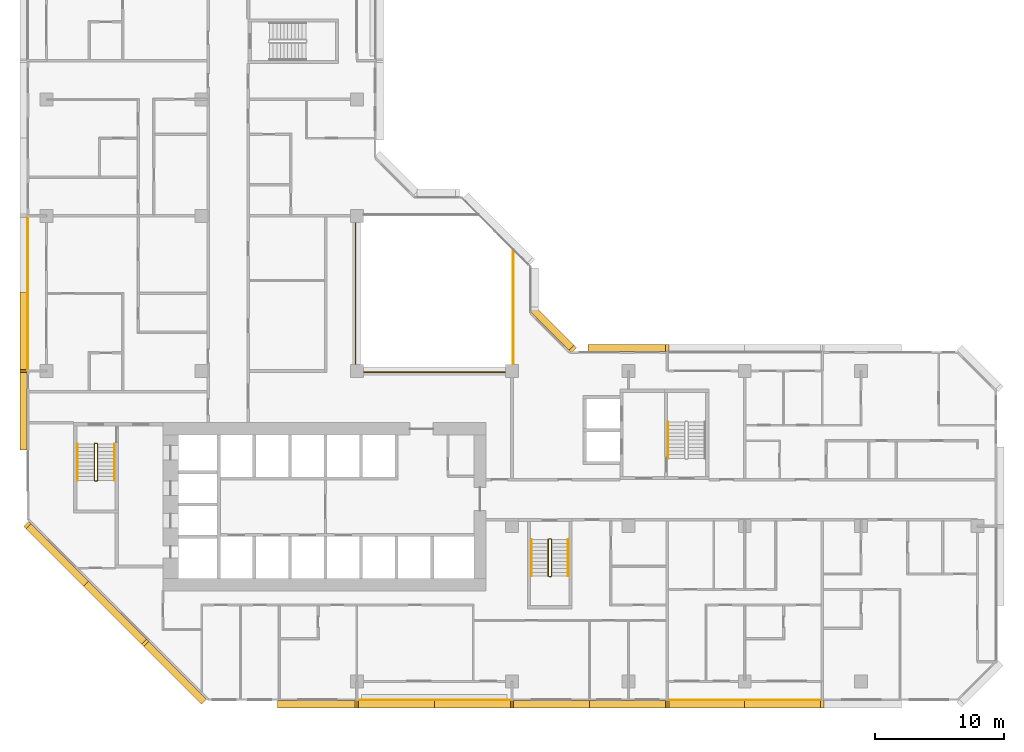
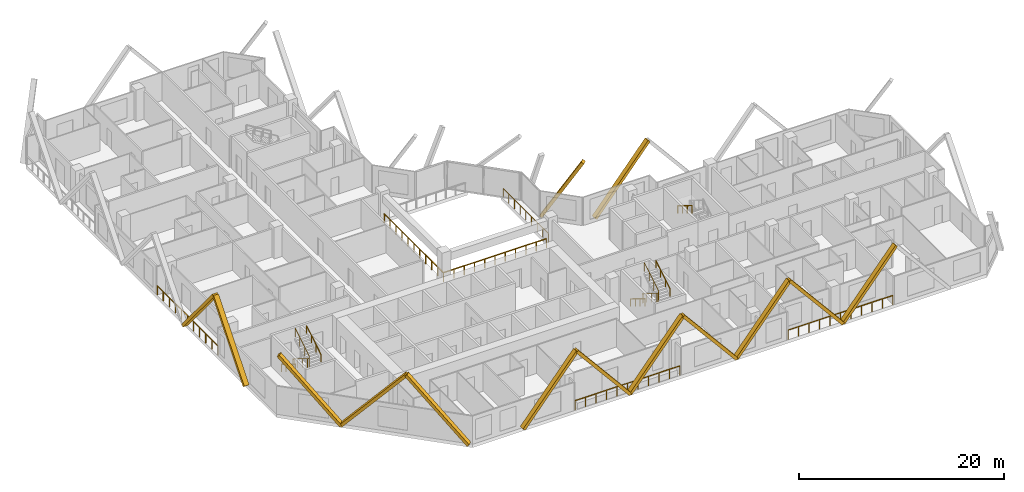
# One storey, part 14 of 15: 14 coverings, 12 railings.
"""IFC4 building model written with IfcOpenShell, lengths in metres."""

from ifc_helpers import new_model, si_unit, direction, frame, origin, origin_2d, place, context, subcontext, project, spatial, rectangle, extrude, material, material_profile, profile_set, type_object, element, save


model = new_model("IFC4")

# Units and contexts
model_context = context("Model", 3, precision=1e-05, world=origin(), true_north=direction((0.0, 1.0)))
body_context = subcontext(model_context, "Body", "Model", "MODEL_VIEW")
ifc_project = project(units=[si_unit("LENGTHUNIT", "METRE"), si_unit("AREAUNIT", "SQUARE_METRE"), si_unit("VOLUMEUNIT", "CUBIC_METRE"), si_unit("PLANEANGLEUNIT", "RADIAN"), si_unit("MASSUNIT", "GRAM", prefix="KILO")], contexts=[model_context])

# Site, building, storey
site_placement = place(None, origin())
site = spatial("IfcSite", under=ifc_project, at=site_placement, CompositionType="ELEMENT")
building_placement = place(site_placement, origin())
building = spatial("IfcBuilding", under=site, at=building_placement, Name="Chenar Terraces", CompositionType="ELEMENT")
storey_placement = place(building_placement, frame((0.0, 0.0, 106.89990234375)))
storey = spatial("IfcBuildingStorey", under=building, at=storey_placement, Name="L24", CompositionType="ELEMENT", Elevation=106.89990234375)

# Railings
ifc_material_1 = material(Name="Powder-coated steel", Category="steel")
railing_type_1 = type_object("IfcRailingType", Name="Guard 1100 steel rail with glass infill", PredefinedType="GUARDRAIL", material=ifc_material_1)
railing_1_placement = place(storey_placement, frame((23.89990234375, 35.5, 0.0)))
element("IfcRailing", 1, at=railing_1_placement, inside=storey, type_object=railing_type_1, Name="Guard L24-1", PredefinedType="GUARDRAIL", context=body_context, shape_type="SweptSolid", body=[
    extrude(rectangle(XDim=0.06005859375, YDim=0.06005859375, at=origin_2d()), frame((0.0, 0.0, 1.070068359375), z_axis=(0.0, -1.0, 0.0), x_axis=(1.0, 0.0, 0.0)), (0.0, 0.0, 1.0), 11.60009765625),
    extrude(rectangle(XDim=0.06005859375, YDim=0.06005859375, at=origin_2d()), frame((0.0, -11.60009765625, 1.070068359375), z_axis=(1.0, 0.0, 0.0), x_axis=(0.0, 1.0, 0.0)), (0.0, 0.0, 1.0), 11.60009765625),
    extrude(rectangle(XDim=0.050048828125, YDim=0.050048828125, at=origin_2d()), origin(), (0.0, 0.0, 1.0), 1.0400390625),
    extrude(rectangle(XDim=0.050048828125, YDim=0.050048828125, at=origin_2d()), frame((0.0, -1.159912109375, 0.0)), (0.0, 0.0, 1.0), 1.0400390625),
    extrude(rectangle(XDim=0.050048828125, YDim=0.050048828125, at=origin_2d()), frame((0.0, -2.320068359375, 0.0)), (0.0, 0.0, 1.0), 1.0400390625),
    extrude(rectangle(XDim=0.050048828125, YDim=0.050048828125, at=origin_2d()), frame((0.0, -3.47998046875, 0.0)), (0.0, 0.0, 1.0), 1.0400390625),
    extrude(rectangle(XDim=0.050048828125, YDim=0.050048828125, at=origin_2d()), frame((0.0, -4.64013671875, 0.0)), (0.0, 0.0, 1.0), 1.0400390625),
    extrude(rectangle(XDim=0.050048828125, YDim=0.050048828125, at=origin_2d()), frame((0.0, -5.800048828125, 0.0)), (0.0, 0.0, 1.0), 1.0400390625),
    extrude(rectangle(XDim=0.050048828125, YDim=0.050048828125, at=origin_2d()), frame((0.0, -6.9599609375, 0.0)), (0.0, 0.0, 1.0), 1.0400390625),
    extrude(rectangle(XDim=0.050048828125, YDim=0.050048828125, at=origin_2d()), frame((0.0, -8.1201171875, 0.0)), (0.0, 0.0, 1.0), 1.0400390625),
    extrude(rectangle(XDim=0.050048828125, YDim=0.050048828125, at=origin_2d()), frame((0.0, -9.280029296875, 0.0)), (0.0, 0.0, 1.0), 1.0400390625),
    extrude(rectangle(XDim=0.050048828125, YDim=0.050048828125, at=origin_2d()), frame((0.0, -10.440185546875, 0.0)), (0.0, 0.0, 1.0), 1.0400390625),
    extrude(rectangle(XDim=0.050048828125, YDim=0.050048828125, at=origin_2d()), frame((0.0, -11.60009765625, 0.0)), (0.0, 0.0, 1.0), 1.0400390625),
    extrude(rectangle(XDim=0.050048828125, YDim=0.050048828125, at=origin_2d()), frame((1.159912109375, -11.60009765625, 0.0)), (0.0, 0.0, 1.0), 1.0400390625),
    extrude(rectangle(XDim=0.050048828125, YDim=0.050048828125, at=origin_2d()), frame((2.320068359375, -11.60009765625, 0.0)), (0.0, 0.0, 1.0), 1.0400390625),
    extrude(rectangle(XDim=0.050048828125, YDim=0.050048828125, at=origin_2d()), frame((3.47998046875, -11.60009765625, 0.0)), (0.0, 0.0, 1.0), 1.0400390625),
    extrude(rectangle(XDim=0.050048828125, YDim=0.050048828125, at=origin_2d()), frame((4.64013671875, -11.60009765625, 0.0)), (0.0, 0.0, 1.0), 1.0400390625),
    extrude(rectangle(XDim=0.050048828125, YDim=0.050048828125, at=origin_2d()), frame((5.800048828125, -11.60009765625, 0.0)), (0.0, 0.0, 1.0), 1.0400390625),
    extrude(rectangle(XDim=0.050048828125, YDim=0.050048828125, at=origin_2d()), frame((6.9599609375, -11.60009765625, 0.0)), (0.0, 0.0, 1.0), 1.0400390625),
    extrude(rectangle(XDim=0.050048828125, YDim=0.050048828125, at=origin_2d()), frame((8.1201171875, -11.60009765625, 0.0)), (0.0, 0.0, 1.0), 1.0400390625),
    extrude(rectangle(XDim=0.050048828125, YDim=0.050048828125, at=origin_2d()), frame((9.280029296875, -11.60009765625, 0.0)), (0.0, 0.0, 1.0), 1.0400390625),
    extrude(rectangle(XDim=0.050048828125, YDim=0.050048828125, at=origin_2d()), frame((10.440185546875, -11.60009765625, 0.0)), (0.0, 0.0, 1.0), 1.0400390625),
    extrude(rectangle(XDim=0.050048828125, YDim=0.050048828125, at=origin_2d()), frame((11.60009765625, -11.60009765625, 0.0)), (0.0, 0.0, 1.0), 1.0400390625),
])
railing_2_placement = place(storey_placement, frame((36.10009765625, 24.550048828125, 0.0)))
element("IfcRailing", 2, at=railing_2_placement, inside=storey, type_object=railing_type_1, Name="Guard L24-3", PredefinedType="GUARDRAIL", context=body_context, shape_type="SweptSolid", body=[
    extrude(rectangle(XDim=0.06005859375, YDim=0.06005859375, at=origin_2d()), frame((0.0, 0.0, 1.070068359375), z_axis=(0.0, 1.0, 0.0), x_axis=(-1.0, 0.0, 0.0)), (0.0, 0.0, 1.0), 8.849853515625),
    extrude(rectangle(XDim=0.050048828125, YDim=0.050048828125, at=origin_2d()), origin(), (0.0, 0.0, 1.0), 1.0400390625),
    extrude(rectangle(XDim=0.050048828125, YDim=0.050048828125, at=origin_2d()), frame((0.0, 1.106201171875, 0.0)), (0.0, 0.0, 1.0), 1.0400390625),
    extrude(rectangle(XDim=0.050048828125, YDim=0.050048828125, at=origin_2d()), frame((0.0, 2.21240234375, 0.0)), (0.0, 0.0, 1.0), 1.0400390625),
    extrude(rectangle(XDim=0.050048828125, YDim=0.050048828125, at=origin_2d()), frame((0.0, 3.318603515625, 0.0)), (0.0, 0.0, 1.0), 1.0400390625),
    extrude(rectangle(XDim=0.050048828125, YDim=0.050048828125, at=origin_2d()), frame((0.0, 4.4248046875, 0.0)), (0.0, 0.0, 1.0), 1.0400390625),
    extrude(rectangle(XDim=0.050048828125, YDim=0.050048828125, at=origin_2d()), frame((0.0, 5.53125, 0.0)), (0.0, 0.0, 1.0), 1.0400390625),
    extrude(rectangle(XDim=0.050048828125, YDim=0.050048828125, at=origin_2d()), frame((0.0, 6.637451171875, 0.0)), (0.0, 0.0, 1.0), 1.0400390625),
    extrude(rectangle(XDim=0.050048828125, YDim=0.050048828125, at=origin_2d()), frame((0.0, 7.74365234375, 0.0)), (0.0, 0.0, 1.0), 1.0400390625),
    extrude(rectangle(XDim=0.050048828125, YDim=0.050048828125, at=origin_2d()), frame((0.0, 8.849853515625, 0.0)), (0.0, 0.0, 1.0), 1.0400390625),
])
ifc_material_2 = material(Name="Stainless steel and glass", Category="steel")
railing_type_2 = type_object("IfcRailingType", Name="Loggia guard 1150", PredefinedType="GUARDRAIL", material=ifc_material_2)
railing_3_placement = place(storey_placement, frame((24.074951171875, -1.449951171875, 0.0)))
element("IfcRailing", 3, at=railing_3_placement, inside=storey, type_object=railing_type_2, Name="Loggia guard", PredefinedType="GUARDRAIL", context=body_context, shape_type="SweptSolid", body=[
    extrude(rectangle(XDim=0.048095703125, YDim=0.048095703125, at=origin_2d()), frame((0.0, 0.0, 1.1259765625), z_axis=(1.0, 0.0, 0.0), x_axis=(0.0, 1.0, 0.0)), (0.0, 0.0, 1.0), 11.85009765625),
    extrude(rectangle(XDim=0.0419921875, YDim=0.0419921875, at=origin_2d()), origin(), (0.0, 0.0, 1.0), 1.101806640625),
    extrude(rectangle(XDim=0.0419921875, YDim=0.0419921875, at=origin_2d()), frame((1.18505859375, 0.0, 0.0)), (0.0, 0.0, 1.0), 1.101806640625),
    extrude(rectangle(XDim=0.0419921875, YDim=0.0419921875, at=origin_2d()), frame((2.3701171875, 0.0, 0.0)), (0.0, 0.0, 1.0), 1.101806640625),
    extrude(rectangle(XDim=0.0419921875, YDim=0.0419921875, at=origin_2d()), frame((3.554931640625, 0.0, 0.0)), (0.0, 0.0, 1.0), 1.101806640625),
    extrude(rectangle(XDim=0.0419921875, YDim=0.0419921875, at=origin_2d()), frame((4.739990234375, 0.0, 0.0)), (0.0, 0.0, 1.0), 1.101806640625),
    extrude(rectangle(XDim=0.0419921875, YDim=0.0419921875, at=origin_2d()), frame((5.925048828125, 0.0, 0.0)), (0.0, 0.0, 1.0), 1.101806640625),
    extrude(rectangle(XDim=0.0419921875, YDim=0.0419921875, at=origin_2d()), frame((7.110107421875, 0.0, 0.0)), (0.0, 0.0, 1.0), 1.101806640625),
    extrude(rectangle(XDim=0.0419921875, YDim=0.0419921875, at=origin_2d()), frame((8.295166015625, 0.0, 0.0)), (0.0, 0.0, 1.0), 1.101806640625),
    extrude(rectangle(XDim=0.0419921875, YDim=0.0419921875, at=origin_2d()), frame((9.47998046875, 0.0, 0.0)), (0.0, 0.0, 1.0), 1.101806640625),
    extrude(rectangle(XDim=0.0419921875, YDim=0.0419921875, at=origin_2d()), frame((10.6650390625, 0.0, 0.0)), (0.0, 0.0, 1.0), 1.101806640625),
    extrude(rectangle(XDim=0.0419921875, YDim=0.0419921875, at=origin_2d()), frame((11.85009765625, 0.0, 0.0)), (0.0, 0.0, 1.0), 1.101806640625),
])
railing_4_placement = place(storey_placement, frame((48.074951171875, -1.449951171875, 0.0)))
element("IfcRailing", 4, at=railing_4_placement, inside=storey, type_object=railing_type_2, Name="Loggia guard", PredefinedType="GUARDRAIL", context=body_context, shape_type="SweptSolid", body=[
    extrude(rectangle(XDim=0.048095703125, YDim=0.048095703125, at=origin_2d()), frame((0.0, 0.0, 1.1259765625), z_axis=(1.0, 0.0, 0.0), x_axis=(0.0, 1.0, 0.0)), (0.0, 0.0, 1.0), 11.85009765625),
    extrude(rectangle(XDim=0.0419921875, YDim=0.0419921875, at=origin_2d()), origin(), (0.0, 0.0, 1.0), 1.101806640625),
    extrude(rectangle(XDim=0.0419921875, YDim=0.0419921875, at=origin_2d()), frame((1.18505859375, 0.0, 0.0)), (0.0, 0.0, 1.0), 1.101806640625),
    extrude(rectangle(XDim=0.0419921875, YDim=0.0419921875, at=origin_2d()), frame((2.3701171875, 0.0, 0.0)), (0.0, 0.0, 1.0), 1.101806640625),
    extrude(rectangle(XDim=0.0419921875, YDim=0.0419921875, at=origin_2d()), frame((3.554931640625, 0.0, 0.0)), (0.0, 0.0, 1.0), 1.101806640625),
    extrude(rectangle(XDim=0.0419921875, YDim=0.0419921875, at=origin_2d()), frame((4.739990234375, 0.0, 0.0)), (0.0, 0.0, 1.0), 1.101806640625),
    extrude(rectangle(XDim=0.0419921875, YDim=0.0419921875, at=origin_2d()), frame((5.925048828125, 0.0, 0.0)), (0.0, 0.0, 1.0), 1.101806640625),
    extrude(rectangle(XDim=0.0419921875, YDim=0.0419921875, at=origin_2d()), frame((7.110107421875, 0.0, 0.0)), (0.0, 0.0, 1.0), 1.101806640625),
    extrude(rectangle(XDim=0.0419921875, YDim=0.0419921875, at=origin_2d()), frame((8.295166015625, 0.0, 0.0)), (0.0, 0.0, 1.0), 1.101806640625),
    extrude(rectangle(XDim=0.0419921875, YDim=0.0419921875, at=origin_2d()), frame((9.47998046875, 0.0, 0.0)), (0.0, 0.0, 1.0), 1.101806640625),
    extrude(rectangle(XDim=0.0419921875, YDim=0.0419921875, at=origin_2d()), frame((10.6650390625, 0.0, 0.0)), (0.0, 0.0, 1.0), 1.101806640625),
    extrude(rectangle(XDim=0.0419921875, YDim=0.0419921875, at=origin_2d()), frame((11.85009765625, 0.0, 0.0)), (0.0, 0.0, 1.0), 1.101806640625),
])
railing_5_placement = place(storey_placement, frame((-1.449951171875, 35.925048828125, 0.0)))
element("IfcRailing", 5, at=railing_5_placement, inside=storey, type_object=railing_type_2, Name="Loggia guard", PredefinedType="GUARDRAIL", context=body_context, shape_type="SweptSolid", body=[
    extrude(rectangle(XDim=0.048095703125, YDim=0.048095703125, at=origin_2d()), frame((0.0, 0.0, 1.1259765625), z_axis=(0.0, -1.0, 0.0), x_axis=(1.0, 0.0, 0.0)), (0.0, 0.0, 1.0), 11.85009765625),
    extrude(rectangle(XDim=0.0419921875, YDim=0.0419921875, at=origin_2d()), origin(), (0.0, 0.0, 1.0), 1.101806640625),
    extrude(rectangle(XDim=0.0419921875, YDim=0.0419921875, at=origin_2d()), frame((0.0, -1.18505859375, 0.0)), (0.0, 0.0, 1.0), 1.101806640625),
    extrude(rectangle(XDim=0.0419921875, YDim=0.0419921875, at=origin_2d()), frame((0.0, -2.3701171875, 0.0)), (0.0, 0.0, 1.0), 1.101806640625),
    extrude(rectangle(XDim=0.0419921875, YDim=0.0419921875, at=origin_2d()), frame((0.0, -3.554931640625, 0.0)), (0.0, 0.0, 1.0), 1.101806640625),
    extrude(rectangle(XDim=0.0419921875, YDim=0.0419921875, at=origin_2d()), frame((0.0, -4.739990234375, 0.0)), (0.0, 0.0, 1.0), 1.101806640625),
    extrude(rectangle(XDim=0.0419921875, YDim=0.0419921875, at=origin_2d()), frame((0.0, -5.925048828125, 0.0)), (0.0, 0.0, 1.0), 1.101806640625),
    extrude(rectangle(XDim=0.0419921875, YDim=0.0419921875, at=origin_2d()), frame((0.0, -7.110107421875, 0.0)), (0.0, 0.0, 1.0), 1.101806640625),
    extrude(rectangle(XDim=0.0419921875, YDim=0.0419921875, at=origin_2d()), frame((0.0, -8.295166015625, 0.0)), (0.0, 0.0, 1.0), 1.101806640625),
    extrude(rectangle(XDim=0.0419921875, YDim=0.0419921875, at=origin_2d()), frame((0.0, -9.47998046875, 0.0)), (0.0, 0.0, 1.0), 1.101806640625),
    extrude(rectangle(XDim=0.0419921875, YDim=0.0419921875, at=origin_2d()), frame((0.0, -10.6650390625, 0.0)), (0.0, 0.0, 1.0), 1.101806640625),
    extrude(rectangle(XDim=0.0419921875, YDim=0.0419921875, at=origin_2d()), frame((0.0, -11.85009765625, 0.0)), (0.0, 0.0, 1.0), 1.101806640625),
])
ifc_material_3 = material(Name="Powder-coated steel", Category="steel")
railing_type_3 = type_object("IfcRailingType", Name="Stair guard 1100", PredefinedType="GUARDRAIL", material=ifc_material_3)
railing_6_placement = place(storey_placement, frame((3.949951171875, 18.35009765625, 3.75)))
element("IfcRailing", 6, at=railing_6_placement, inside=storey, type_object=railing_type_3, Name="L24 ST1 stair guard 1", PredefinedType="GUARDRAIL", context=body_context, shape_type="SweptSolid", body=[
    extrude(rectangle(XDim=0.048095703125, YDim=0.048095703125, at=origin_2d()), frame((0.0, 0.0, 1.076171875), z_axis=(0.0, -0.854202870247, -0.519939858505), x_axis=(1.0, 0.0, 0.0)), (0.0, 0.0, 1.0), 3.278076171875),
    extrude(rectangle(XDim=0.048095703125, YDim=0.048095703125, at=origin_2d()), frame((0.0, -2.800048828125, -0.62841796875), z_axis=(-0.270899902878, -0.270899902878, -0.923702595667), x_axis=(0.707106781187, -0.707106781187, 0.0)), (0.0, 0.0, 1.0), 0.184814453125),
    extrude(rectangle(XDim=0.048095703125, YDim=0.048095703125, at=origin_2d()), frame((-0.050048828125, -2.85009765625, -0.798828125), z_axis=(-1.0, 0.0, 0.0), x_axis=(0.0, -1.0, 0.0)), (0.0, 0.0, 1.0), 0.14990234375),
    extrude(rectangle(XDim=0.048095703125, YDim=0.048095703125, at=origin_2d()), frame((-0.199951171875, -2.85009765625, -0.798828125), z_axis=(-0.707106781187, 0.707106781187, 0.0), x_axis=(-0.707106781187, -0.707106781187, 0.0)), (0.0, 0.0, 1.0), 0.07080078125),
    extrude(rectangle(XDim=0.048095703125, YDim=0.048095703125, at=origin_2d()), frame((-0.25, -2.800048828125, -0.798828125), z_axis=(0.0, 0.854202870247, -0.519939858505), x_axis=(-1.0, 0.0, 0.0)), (0.0, 0.0, 1.0), 3.278076171875),
    extrude(rectangle(XDim=0.048095703125, YDim=0.048095703125, at=origin_2d()), frame((-0.25, 0.0, -2.50341796875), z_axis=(0.270996696079, 0.269674760976, -0.924032636873), x_axis=(-0.705375805398, 0.708833529934, 0.0)), (0.0, 0.0, 1.0), 0.1845703125),
    extrude(rectangle(XDim=0.048095703125, YDim=0.048095703125, at=origin_2d()), frame((-0.199951171875, 0.0498046875, -2.673828125), z_axis=(1.0, 0.0, 0.0), x_axis=(0.0, 1.0, 0.0)), (0.0, 0.0, 1.0), 0.14990234375),
    extrude(rectangle(XDim=0.0419921875, YDim=0.0419921875, at=origin_2d()), origin(), (0.0, 0.0, 1.0), 1.052001953125),
    extrude(rectangle(XDim=0.0419921875, YDim=0.0419921875, at=origin_2d()), frame((0.0, -0.933349609375, -0.568115234375)), (0.0, 0.0, 1.0), 1.052001953125),
    extrude(rectangle(XDim=0.0419921875, YDim=0.0419921875, at=origin_2d()), frame((0.0, -1.86669921875, -1.13623046875)), (0.0, 0.0, 1.0), 1.052001953125),
    extrude(rectangle(XDim=0.0419921875, YDim=0.0419921875, at=origin_2d()), frame((0.0, -2.800048828125, -1.704345703125)), (0.0, 0.0, 1.0), 1.052001953125),
    extrude(rectangle(XDim=0.0419921875, YDim=0.0419921875, at=origin_2d()), frame((-0.050048828125, -2.85009765625, -1.875)), (0.0, 0.0, 1.0), 1.052001953125),
    extrude(rectangle(XDim=0.0419921875, YDim=0.0419921875, at=origin_2d()), frame((-0.199951171875, -2.85009765625, -1.875)), (0.0, 0.0, 1.0), 1.052001953125),
    extrude(rectangle(XDim=0.0419921875, YDim=0.0419921875, at=origin_2d()), frame((-0.25, -2.800048828125, -1.875)), (0.0, 0.0, 1.0), 1.052001953125),
    extrude(rectangle(XDim=0.0419921875, YDim=0.0419921875, at=origin_2d()), frame((-0.25, -1.86669921875, -2.443115234375)), (0.0, 0.0, 1.0), 1.052001953125),
    extrude(rectangle(XDim=0.0419921875, YDim=0.0419921875, at=origin_2d()), frame((-0.25, -0.933349609375, -3.01123046875)), (0.0, 0.0, 1.0), 1.052001953125),
    extrude(rectangle(XDim=0.0419921875, YDim=0.0419921875, at=origin_2d()), frame((-0.25, 0.0, -3.579345703125)), (0.0, 0.0, 1.0), 1.052001953125),
    extrude(rectangle(XDim=0.0419921875, YDim=0.0419921875, at=origin_2d()), frame((-0.199951171875, 0.0498046875, -3.75)), (0.0, 0.0, 1.0), 1.052001953125),
    extrude(rectangle(XDim=0.0419921875, YDim=0.0419921875, at=origin_2d()), frame((-0.050048828125, 0.0498046875, -3.75)), (0.0, 0.0, 1.0), 1.052001953125),
])
railing_7_placement = place(storey_placement, frame((39.050048828125, 10.949951171875, 3.75)))
element("IfcRailing", 7, at=railing_7_placement, inside=storey, type_object=railing_type_3, Name="L24 ST2 stair guard 1", PredefinedType="GUARDRAIL", context=body_context, shape_type="SweptSolid", body=[
    extrude(rectangle(XDim=0.048095703125, YDim=0.048095703125, at=origin_2d()), frame((0.0, 0.0, 1.076171875), z_axis=(0.0, -0.854202870247, -0.519939858505), x_axis=(1.0, 0.0, 0.0)), (0.0, 0.0, 1.0), 3.278076171875),
    extrude(rectangle(XDim=0.048095703125, YDim=0.048095703125, at=origin_2d()), frame((0.0, -2.800048828125, -0.62841796875), z_axis=(-0.270996696079, -0.269674760976, -0.924032636873), x_axis=(0.705375805398, -0.708833529934, 0.0)), (0.0, 0.0, 1.0), 0.1845703125),
    extrude(rectangle(XDim=0.048095703125, YDim=0.048095703125, at=origin_2d()), frame((-0.050048828125, -2.849853515625, -0.798828125), z_axis=(-1.0, 0.0, 0.0), x_axis=(0.0, -1.0, 0.0)), (0.0, 0.0, 1.0), 0.14990234375),
    extrude(rectangle(XDim=0.048095703125, YDim=0.048095703125, at=origin_2d()), frame((-0.199951171875, -2.849853515625, -0.798828125), z_axis=(-0.708833529934, 0.705375805398, 0.0), x_axis=(-0.705375805398, -0.708833529934, 0.0)), (0.0, 0.0, 1.0), 0.070556640625),
    extrude(rectangle(XDim=0.048095703125, YDim=0.048095703125, at=origin_2d()), frame((-0.25, -2.800048828125, -0.798828125), z_axis=(0.0, 0.854202870247, -0.519939858505), x_axis=(-1.0, 0.0, 0.0)), (0.0, 0.0, 1.0), 3.278076171875),
    extrude(rectangle(XDim=0.048095703125, YDim=0.048095703125, at=origin_2d()), frame((-0.25, 0.0, -2.50341796875), z_axis=(0.270899902878, 0.270899902878, -0.923702595667), x_axis=(-0.707106781187, 0.707106781187, 0.0)), (0.0, 0.0, 1.0), 0.184814453125),
    extrude(rectangle(XDim=0.048095703125, YDim=0.048095703125, at=origin_2d()), frame((-0.199951171875, 0.050048828125, -2.673828125), z_axis=(1.0, 0.0, 0.0), x_axis=(0.0, 1.0, 0.0)), (0.0, 0.0, 1.0), 0.14990234375),
    extrude(rectangle(XDim=0.0419921875, YDim=0.0419921875, at=origin_2d()), origin(), (0.0, 0.0, 1.0), 1.052001953125),
    extrude(rectangle(XDim=0.0419921875, YDim=0.0419921875, at=origin_2d()), frame((0.0, -0.933349609375, -0.568115234375)), (0.0, 0.0, 1.0), 1.052001953125),
    extrude(rectangle(XDim=0.0419921875, YDim=0.0419921875, at=origin_2d()), frame((0.0, -1.86669921875, -1.13623046875)), (0.0, 0.0, 1.0), 1.052001953125),
    extrude(rectangle(XDim=0.0419921875, YDim=0.0419921875, at=origin_2d()), frame((0.0, -2.800048828125, -1.704345703125)), (0.0, 0.0, 1.0), 1.052001953125),
    extrude(rectangle(XDim=0.0419921875, YDim=0.0419921875, at=origin_2d()), frame((-0.050048828125, -2.849853515625, -1.875)), (0.0, 0.0, 1.0), 1.052001953125),
    extrude(rectangle(XDim=0.0419921875, YDim=0.0419921875, at=origin_2d()), frame((-0.199951171875, -2.849853515625, -1.875)), (0.0, 0.0, 1.0), 1.052001953125),
    extrude(rectangle(XDim=0.0419921875, YDim=0.0419921875, at=origin_2d()), frame((-0.25, -2.800048828125, -1.875)), (0.0, 0.0, 1.0), 1.052001953125),
    extrude(rectangle(XDim=0.0419921875, YDim=0.0419921875, at=origin_2d()), frame((-0.25, -1.86669921875, -2.443115234375)), (0.0, 0.0, 1.0), 1.052001953125),
    extrude(rectangle(XDim=0.0419921875, YDim=0.0419921875, at=origin_2d()), frame((-0.25, -0.933349609375, -3.01123046875)), (0.0, 0.0, 1.0), 1.052001953125),
    extrude(rectangle(XDim=0.0419921875, YDim=0.0419921875, at=origin_2d()), frame((-0.25, 0.0, -3.579345703125)), (0.0, 0.0, 1.0), 1.052001953125),
    extrude(rectangle(XDim=0.0419921875, YDim=0.0419921875, at=origin_2d()), frame((-0.199951171875, 0.050048828125, -3.75)), (0.0, 0.0, 1.0), 1.052001953125),
    extrude(rectangle(XDim=0.0419921875, YDim=0.0419921875, at=origin_2d()), frame((-0.050048828125, 0.050048828125, -3.75)), (0.0, 0.0, 1.0), 1.052001953125),
])
ifc_material_4 = material(Name="Powder-coated steel", Category="steel")
railing_type_4 = type_object("IfcRailingType", Name="Stair handrail 900", PredefinedType="HANDRAIL", material=ifc_material_4)
railing_8_placement = place(storey_placement, frame((2.39990234375, 18.35009765625, 0.170654296875)))
element("IfcRailing", 8, at=railing_8_placement, inside=storey, type_object=railing_type_4, Name="L24 ST1 stair handrail 1", PredefinedType="HANDRAIL", context=body_context, shape_type="SweptSolid", body=[
    extrude(rectangle(XDim=0.048095703125, YDim=0.048095703125, at=origin_2d()), frame((0.0, 0.0, 0.8759765625), z_axis=(0.0, -0.854202870247, 0.519939858505), x_axis=(1.0, 0.0, 0.0)), (0.0, 0.0, 1.0), 3.278076171875),
    extrude(rectangle(XDim=0.0419921875, YDim=0.0419921875, at=origin_2d()), origin(), (0.0, 0.0, 1.0), 0.851806640625),
    extrude(rectangle(XDim=0.0419921875, YDim=0.0419921875, at=origin_2d()), frame((0.0, -0.933349609375, 0.568115234375)), (0.0, 0.0, 1.0), 0.851806640625),
    extrude(rectangle(XDim=0.0419921875, YDim=0.0419921875, at=origin_2d()), frame((0.0, -1.86669921875, 1.13623046875)), (0.0, 0.0, 1.0), 0.851806640625),
    extrude(rectangle(XDim=0.0419921875, YDim=0.0419921875, at=origin_2d()), frame((0.0, -2.800048828125, 1.704345703125)), (0.0, 0.0, 1.0), 0.851806640625),
])
railing_9_placement = place(storey_placement, frame((5.25, 15.550048828125, 2.045654296875)))
element("IfcRailing", 9, at=railing_9_placement, inside=storey, type_object=railing_type_4, Name="L24 ST1 stair handrail 2", PredefinedType="HANDRAIL", context=body_context, shape_type="SweptSolid", body=[
    extrude(rectangle(XDim=0.048095703125, YDim=0.048095703125, at=origin_2d()), frame((0.0, 0.0, 0.8759765625), z_axis=(0.0, 0.854202870247, 0.519939858505), x_axis=(-1.0, 0.0, 0.0)), (0.0, 0.0, 1.0), 3.278076171875),
    extrude(rectangle(XDim=0.0419921875, YDim=0.0419921875, at=origin_2d()), origin(), (0.0, 0.0, 1.0), 0.851806640625),
    extrude(rectangle(XDim=0.0419921875, YDim=0.0419921875, at=origin_2d()), frame((0.0, 0.933349609375, 0.568115234375)), (0.0, 0.0, 1.0), 0.851806640625),
    extrude(rectangle(XDim=0.0419921875, YDim=0.0419921875, at=origin_2d()), frame((0.0, 1.86669921875, 1.13623046875)), (0.0, 0.0, 1.0), 0.851806640625),
    extrude(rectangle(XDim=0.0419921875, YDim=0.0419921875, at=origin_2d()), frame((0.0, 2.800048828125, 1.704345703125)), (0.0, 0.0, 1.0), 0.851806640625),
])
railing_10_placement = place(storey_placement, frame((37.5, 10.949951171875, 0.170654296875)))
element("IfcRailing", 10, at=railing_10_placement, inside=storey, type_object=railing_type_4, Name="L24 ST2 stair handrail 1", PredefinedType="HANDRAIL", context=body_context, shape_type="SweptSolid", body=[
    extrude(rectangle(XDim=0.048095703125, YDim=0.048095703125, at=origin_2d()), frame((0.0, 0.0, 0.8759765625), z_axis=(0.0, -0.854202870247, 0.519939858505), x_axis=(1.0, 0.0, 0.0)), (0.0, 0.0, 1.0), 3.278076171875),
    extrude(rectangle(XDim=0.0419921875, YDim=0.0419921875, at=origin_2d()), origin(), (0.0, 0.0, 1.0), 0.851806640625),
    extrude(rectangle(XDim=0.0419921875, YDim=0.0419921875, at=origin_2d()), frame((0.0, -0.933349609375, 0.568115234375)), (0.0, 0.0, 1.0), 0.851806640625),
    extrude(rectangle(XDim=0.0419921875, YDim=0.0419921875, at=origin_2d()), frame((0.0, -1.86669921875, 1.13623046875)), (0.0, 0.0, 1.0), 0.851806640625),
    extrude(rectangle(XDim=0.0419921875, YDim=0.0419921875, at=origin_2d()), frame((0.0, -2.800048828125, 1.704345703125)), (0.0, 0.0, 1.0), 0.851806640625),
])
railing_11_placement = place(storey_placement, frame((40.35009765625, 8.14990234375, 2.045654296875)))
element("IfcRailing", 11, at=railing_11_placement, inside=storey, type_object=railing_type_4, Name="L24 ST2 stair handrail 2", PredefinedType="HANDRAIL", context=body_context, shape_type="SweptSolid", body=[
    extrude(rectangle(XDim=0.048095703125, YDim=0.048095703125, at=origin_2d()), frame((0.0, 0.0, 0.8759765625), z_axis=(0.0, 0.854202870247, 0.519939858505), x_axis=(-1.0, 0.0, 0.0)), (0.0, 0.0, 1.0), 3.278076171875),
    extrude(rectangle(XDim=0.0419921875, YDim=0.0419921875, at=origin_2d()), origin(), (0.0, 0.0, 1.0), 0.851806640625),
    extrude(rectangle(XDim=0.0419921875, YDim=0.0419921875, at=origin_2d()), frame((0.0, 0.933349609375, 0.568115234375)), (0.0, 0.0, 1.0), 0.851806640625),
    extrude(rectangle(XDim=0.0419921875, YDim=0.0419921875, at=origin_2d()), frame((0.0, 1.86669921875, 1.13623046875)), (0.0, 0.0, 1.0), 0.851806640625),
    extrude(rectangle(XDim=0.0419921875, YDim=0.0419921875, at=origin_2d()), frame((0.0, 2.800048828125, 1.704345703125)), (0.0, 0.0, 1.0), 0.851806640625),
])
railing_12_placement = place(storey_placement, frame((48.074951171875, 20.050048828125, 2.045654296875)))
element("IfcRailing", 12, at=railing_12_placement, inside=storey, type_object=railing_type_4, Name="L24 ST3 stair handrail 2", PredefinedType="HANDRAIL", context=body_context, shape_type="SweptSolid", body=[
    extrude(rectangle(XDim=0.048095703125, YDim=0.048095703125, at=origin_2d()), frame((0.0, 0.0, 0.8759765625), z_axis=(0.0, -0.854202870247, 0.519939858505), x_axis=(1.0, 0.0, 0.0)), (0.0, 0.0, 1.0), 3.278076171875),
    extrude(rectangle(XDim=0.0419921875, YDim=0.0419921875, at=origin_2d()), origin(), (0.0, 0.0, 1.0), 0.851806640625),
    extrude(rectangle(XDim=0.0419921875, YDim=0.0419921875, at=origin_2d()), frame((0.0, -0.933349609375, 0.568115234375)), (0.0, 0.0, 1.0), 0.851806640625),
    extrude(rectangle(XDim=0.0419921875, YDim=0.0419921875, at=origin_2d()), frame((0.0, -1.86669921875, 1.13623046875)), (0.0, 0.0, 1.0), 0.851806640625),
    extrude(rectangle(XDim=0.0419921875, YDim=0.0419921875, at=origin_2d()), frame((0.0, -2.800048828125, 1.704345703125)), (0.0, 0.0, 1.0), 0.851806640625),
])

# Coverings
ifc_material_5 = material(Name="Terracotta", Category="masonry")
ifc_material_profile = material_profile(ifc_material_5, rectangle(XDim=0.550048828125, YDim=0.330078125, at=origin_2d()), Name="Terracotta baguette 550 x 330")
ifc_profile_set = profile_set([ifc_material_profile], Name="Terracotta")
covering_type = type_object("IfcCoveringType", Name="Terracotta baguette 550 x 330", PredefinedType="CLADDING", material=ifc_profile_set)
covering_1_placement = place(storey_placement, frame((48.0, 25.77490234375, 7.35009765625), z_axis=(-0.640186961885, 0.0, -0.768219144407), x_axis=(0.0, -1.0, 0.0)))
element("IfcCovering", 13, at=covering_1_placement, inside=storey, type_object=covering_type, Name="Terracotta baguette", PredefinedType="CLADDING", context=body_context, shape_type="SweptSolid", body=[
    extrude(rectangle(XDim=0.550048828125, YDim=0.330078125, at=origin_2d()), origin(), (0.0, 0.0, 1.0), 9.372314453125),
])
covering_2_placement = place(storey_placement, frame((40.6943359375, 25.6943359375, 7.35009765625), z_axis=(-0.358955436736, 0.358984650982, -0.861557319507), x_axis=(-0.70713555402, -0.707078007182, 0.0)))
element("IfcCovering", 14, at=covering_2_placement, inside=storey, type_object=covering_type, Name="Terracotta baguette", PredefinedType="CLADDING", context=body_context, shape_type="SweptSolid", body=[
    extrude(rectangle(XDim=0.550048828125, YDim=0.330078125, at=origin_2d()), origin(), (0.0, 0.0, 1.0), 8.35693359375),
])
for number, where, z_axis, x_axis, name in (
    (15, (-1.77490234375, 30.0, 0.150146484375), (0.0, -0.640186961885, 0.768219144407), (1.0, 0.0, 0.0), "Terracotta baguette"),
    (16, (-1.77490234375, 24.0, 7.35009765625), (0.0, -0.640186961885, -0.768219144407), (1.0, 0.0, 0.0), "Terracotta baguette"),
):
    element("IfcCovering", number, at=place(storey_placement, frame(where, z_axis=z_axis, x_axis=x_axis)), inside=storey, type_object=covering_type, Name=name, PredefinedType="CLADDING", context=body_context, shape_type="SweptSolid", body=[
        extrude(rectangle(XDim=0.550048828125, YDim=0.330078125, at=origin_2d()), origin(), (0.0, 0.0, 1.0), 9.372314453125),
    ])
covering_3_placement = place(storey_placement, frame((-1.482421875, 12.093505859375, 7.35009765625), z_axis=(0.465624035565, -0.465624035565, -0.752587878595), x_axis=(0.707106781187, 0.707106781187, 0.0)))
element("IfcCovering", 17, at=covering_3_placement, inside=storey, type_object=covering_type, Name="Terracotta baguette", PredefinedType="CLADDING", context=body_context, shape_type="SweptSolid", body=[
    extrude(rectangle(XDim=0.550048828125, YDim=0.330078125, at=origin_2d()), origin(), (0.0, 0.0, 1.0), 9.56689453125),
])
covering_4_placement = place(storey_placement, frame((2.97216796875, 7.638916015625, 0.150146484375), z_axis=(0.477802509271, -0.477802509271, 0.73716315987), x_axis=(0.707106781187, 0.707106781187, 0.0)))
element("IfcCovering", 18, at=covering_4_placement, inside=storey, type_object=covering_type, Name="Terracotta baguette", PredefinedType="CLADDING", context=body_context, shape_type="SweptSolid", body=[
    extrude(rectangle(XDim=0.550048828125, YDim=0.330078125, at=origin_2d()), origin(), (0.0, 0.0, 1.0), 9.76708984375),
])
covering_5_placement = place(storey_placement, frame((7.638916015625, 2.97216796875, 7.35009765625), z_axis=(0.465624035565, -0.465624035565, -0.752587878595), x_axis=(0.707106781187, 0.707106781187, 0.0)))
element("IfcCovering", 19, at=covering_5_placement, inside=storey, type_object=covering_type, Name="Terracotta baguette", PredefinedType="CLADDING", context=body_context, shape_type="SweptSolid", body=[
    extrude(rectangle(XDim=0.550048828125, YDim=0.330078125, at=origin_2d()), origin(), (0.0, 0.0, 1.0), 9.56689453125),
])
for number, where, z_axis, x_axis, name in (
    (20, (18.0, -1.77490234375, 0.150146484375), (0.640186961885, 0.0, 0.768219144407), (0.0, 1.0, 0.0), "Terracotta baguette"),
    (21, (24.0, -1.77490234375, 7.35009765625), (0.640186961885, 0.0, -0.768219144407), (0.0, 1.0, 0.0), "Terracotta baguette"),
    (22, (30.0, -1.77490234375, 0.150146484375), (0.640186961885, 0.0, 0.768219144407), (0.0, 1.0, 0.0), "Terracotta baguette"),
    (23, (36.0, -1.77490234375, 7.35009765625), (0.640186961885, 0.0, -0.768219144407), (0.0, 1.0, 0.0), "Terracotta baguette"),
    (24, (42.0, -1.77490234375, 0.150146484375), (0.640186961885, 0.0, 0.768219144407), (0.0, 1.0, 0.0), "Terracotta baguette"),
    (25, (48.0, -1.77490234375, 7.35009765625), (0.640186961885, 0.0, -0.768219144407), (0.0, 1.0, 0.0), "Terracotta baguette"),
    (26, (54.0, -1.77490234375, 0.150146484375), (0.640186961885, 0.0, 0.768219144407), (0.0, 1.0, 0.0), "Terracotta baguette"),
):
    element("IfcCovering", number, at=place(storey_placement, frame(where, z_axis=z_axis, x_axis=x_axis)), inside=storey, type_object=covering_type, Name=name, PredefinedType="CLADDING", context=body_context, shape_type="SweptSolid", body=[
        extrude(rectangle(XDim=0.550048828125, YDim=0.330078125, at=origin_2d()), origin(), (0.0, 0.0, 1.0), 9.372314453125),
    ])

save(model, "model.ifc")
